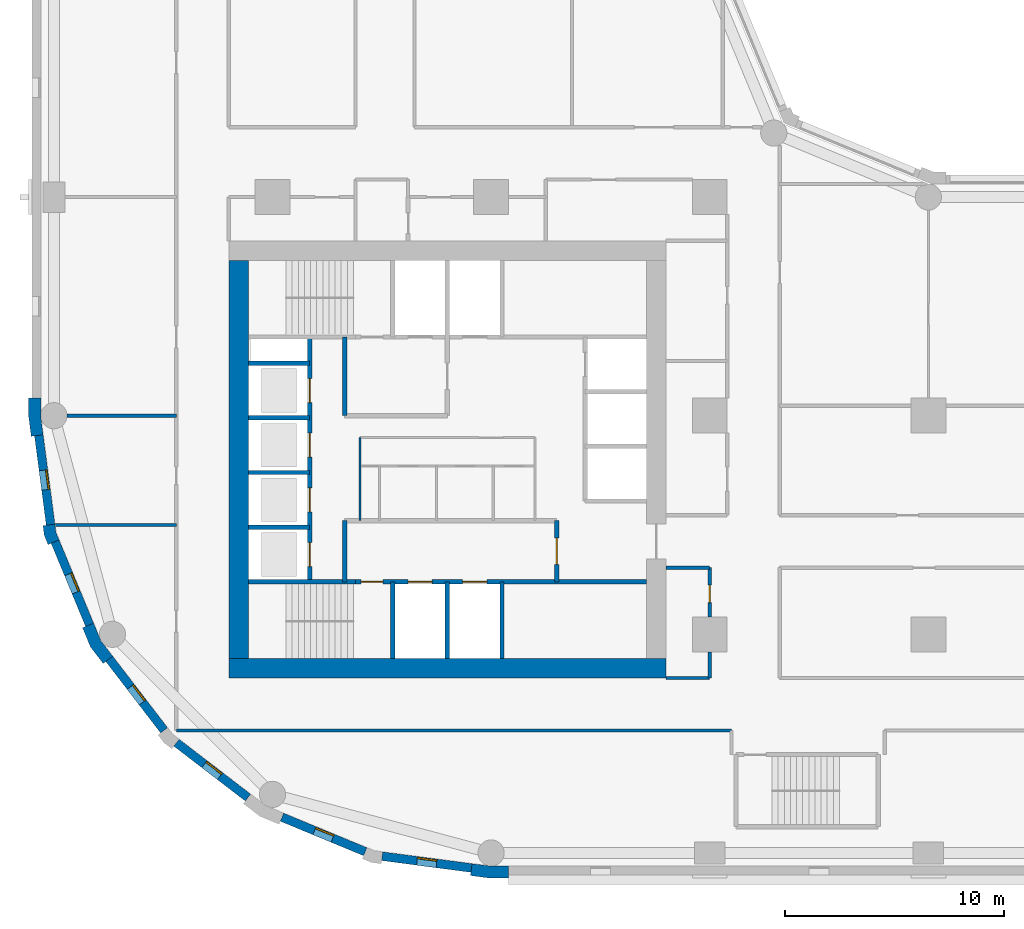
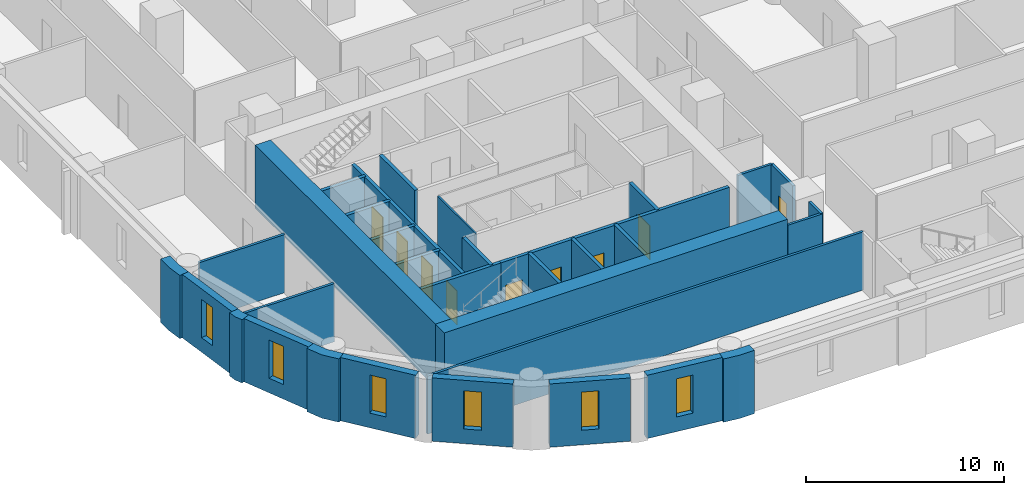
# One storey, part 2 of 10: 33 walls, 9 doors, 6 windows, 15 openings.
"""IFC4 building model written with IfcOpenShell, lengths in metres."""

from ifc_helpers import new_model, si_unit, direction, frame, frame_2d, origin, place, context, subcontext, project, spatial, polyline, rectangle, outline, extrude, material, layer, layer_set, type_object, element, fill, save


model = new_model("IFC4")

# Units and contexts
model_context = context("Model", 3, precision=1e-05, world=origin(), true_north=direction((0.0, 1.0)))
body_context = subcontext(model_context, "Body", "Model", "MODEL_VIEW")
ifc_project = project(units=[si_unit("LENGTHUNIT", "METRE"), si_unit("AREAUNIT", "SQUARE_METRE"), si_unit("VOLUMEUNIT", "CUBIC_METRE"), si_unit("PLANEANGLEUNIT", "RADIAN"), si_unit("MASSUNIT", "GRAM", prefix="KILO")], contexts=[model_context])

# Site, building, storey
site_placement = place(None, origin())
site = spatial("IfcSite", under=ifc_project, at=site_placement, CompositionType="ELEMENT")
building_placement = place(site_placement, origin())
building = spatial("IfcBuilding", under=site, at=building_placement, Name="Qaws Garden Tower", CompositionType="ELEMENT")
storey_placement = place(building_placement, frame((0.0, 0.0, 74.39990234375)))
storey = spatial("IfcBuildingStorey", under=building, at=storey_placement, Name="L18", CompositionType="ELEMENT", Elevation=74.39990234375)

# Wall, opening, window
ifc_material_1 = material(Name="Clay facing brick masonry", Category="masonry")
ifc_layer_1 = layer(ifc_material_1, 0.39990234375)
ifc_layer_set_1 = layer_set([ifc_layer_1], Name="Clay facing brick masonry")
wall_type_1 = type_object("IfcWallType", Name="Brick infill wall 400", PredefinedType="SOLIDWALL", material=ifc_layer_set_1)
wall_1_placement = place(storey_placement, frame((-0.688720703125, 19.102294921875, 0.0), z_axis=(0.0, 0.0, 1.0), x_axis=(0.130514280502, -0.991446429508, 0.0)))
wall_1 = element("IfcWall", 1, at=wall_1_placement, inside=storey, type_object=wall_type_1, Name="E-L18-infill-27", PredefinedType="SOLIDWALL", context=body_context, shape_type="SweptSolid", body=[
    extrude(rectangle(XDim=4.120849609375, YDim=0.39990234375, at=frame_2d((2.060546875, 0.0))), origin(), (0.0, 0.0, 1.0), 3.900146484375),
])
opening_1_placement = place(wall_1_placement, frame((1.610595703125, 0.0, 0.89990234375)))
opening_1 = element("IfcOpeningElement", 2, at=opening_1_placement, cuts=wall_1, Name="Opening W09", PredefinedType="OPENING", context=body_context, shape_type="SweptSolid", body=[
    extrude(rectangle(XDim=0.89990234375, YDim=2.35009765625, at=frame_2d((0.449951171875, 1.175048828125))), frame((0.0, 0.2099609375, 0.0), z_axis=(0.0, -1.0, 0.0), x_axis=(1.0, 0.0, 0.0)), (0.0, 0.0, 1.0), 0.419921875),
])
ifc_material_2 = material(Name="Aluminium framed window, clear glazing", Category="aluminium")
window_type = type_object("IfcWindowType", Name="Slit window 900 x 2350", PartitioningType="SINGLE_PANEL", PredefinedType="WINDOW", material=ifc_material_2)
window_1_placement = place(opening_1_placement, origin())
window_1 = element("IfcWindow", 3, at=window_1_placement, inside=storey, type_object=window_type, Name="E-L18-window-27-0", OverallHeight=2.35009765625, OverallWidth=0.89990234375, PartitioningType="SINGLE_PANEL", PredefinedType="WINDOW", context=body_context, shape_type="SweptSolid", body=[
    extrude(rectangle(XDim=0.89990234375, YDim=2.35009765625, at=frame_2d((0.449951171875, 1.175048828125))), frame((0.0, 0.159912109375, 0.0), z_axis=(0.0, -1.0, 0.0), x_axis=(1.0, 0.0, 0.0)), (0.0, 0.0, 1.0), 0.06005859375),
])
fill(opening_1, window_1)

wall_2_placement = place(storey_placement, frame((0.05712890625, 14.240234375, 0.0), z_axis=(0.0, 0.0, 1.0), x_axis=(0.382721546029, -0.923863744394, 0.0)))
wall_2 = element("IfcWall", 4, at=wall_2_placement, inside=storey, type_object=wall_type_1, Name="E-L18-infill-28", PredefinedType="SOLIDWALL", context=body_context, shape_type="SweptSolid", body=[
    extrude(rectangle(XDim=4.120849609375, YDim=0.39990234375, at=frame_2d((2.060546875, 0.0))), origin(), (0.0, 0.0, 1.0), 3.900146484375),
])
opening_2_placement = place(wall_2_placement, frame((1.610595703125, 0.0, 0.89990234375)))
opening_2 = element("IfcOpeningElement", 5, at=opening_2_placement, cuts=wall_2, Name="Opening W09", PredefinedType="OPENING", context=body_context, shape_type="SweptSolid", body=[
    extrude(rectangle(XDim=0.89990234375, YDim=2.35009765625, at=frame_2d((0.449951171875, 1.175048828125))), frame((0.0, 0.2099609375, 0.0), z_axis=(0.0, -1.0, 0.0), x_axis=(1.0, 0.0, 0.0)), (0.0, 0.0, 1.0), 0.419921875),
])
window_2_placement = place(opening_2_placement, origin())
window_2 = element("IfcWindow", 6, at=window_2_placement, inside=storey, type_object=window_type, Name="E-L18-window-28-0", OverallHeight=2.35009765625, OverallWidth=0.89990234375, PartitioningType="SINGLE_PANEL", PredefinedType="WINDOW", context=body_context, shape_type="SweptSolid", body=[
    extrude(rectangle(XDim=0.89990234375, YDim=2.35009765625, at=frame_2d((0.449951171875, 1.175048828125))), frame((0.0, 0.159912109375, 0.0), z_axis=(0.0, -1.0, 0.0), x_axis=(1.0, 0.0, 0.0)), (0.0, 0.0, 1.0), 0.06005859375),
])
fill(opening_2, window_2)

wall_3_placement = place(storey_placement, frame((2.53173828125, 8.87841796875, 0.0), z_axis=(0.0, 0.0, 1.0), x_axis=(0.608759824817, -0.793354571229, 0.0)))
wall_3 = element("IfcWall", 7, at=wall_3_placement, inside=storey, type_object=wall_type_1, Name="E-L18-infill-29", PredefinedType="SOLIDWALL", context=body_context, shape_type="SweptSolid", body=[
    extrude(rectangle(XDim=4.12109375, YDim=0.39990234375, at=frame_2d((2.060546875, 0.0))), origin(), (0.0, 0.0, 1.0), 3.900146484375),
])
opening_3_placement = place(wall_3_placement, frame((1.610595703125, 0.0, 0.89990234375)))
opening_3 = element("IfcOpeningElement", 8, at=opening_3_placement, cuts=wall_3, Name="Opening W09", PredefinedType="OPENING", context=body_context, shape_type="SweptSolid", body=[
    extrude(rectangle(XDim=0.89990234375, YDim=2.35009765625, at=frame_2d((0.449951171875, 1.175048828125))), frame((0.0, 0.2099609375, 0.0), z_axis=(0.0, -1.0, 0.0), x_axis=(1.0, 0.0, 0.0)), (0.0, 0.0, 1.0), 0.419921875),
])
window_3_placement = place(opening_3_placement, origin())
window_3 = element("IfcWindow", 9, at=window_3_placement, inside=storey, type_object=window_type, Name="E-L18-window-29-0", OverallHeight=2.35009765625, OverallWidth=0.89990234375, PartitioningType="SINGLE_PANEL", PredefinedType="WINDOW", context=body_context, shape_type="SweptSolid", body=[
    extrude(rectangle(XDim=0.89990234375, YDim=2.35009765625, at=frame_2d((0.449951171875, 1.175048828125))), frame((0.0, 0.159912109375, 0.0), z_axis=(0.0, -1.0, 0.0), x_axis=(1.0, 0.0, 0.0)), (0.0, 0.0, 1.0), 0.06005859375),
])
fill(opening_3, window_3)

wall_4_placement = place(storey_placement, frame((5.60888671875, 5.04052734375, 0.0), z_axis=(0.0, 0.0, 1.0), x_axis=(0.793354571229, -0.608759824817, 0.0)))
wall_4 = element("IfcWall", 10, at=wall_4_placement, inside=storey, type_object=wall_type_1, Name="E-L18-infill-30", PredefinedType="SOLIDWALL", context=body_context, shape_type="SweptSolid", body=[
    extrude(rectangle(XDim=4.12109375, YDim=0.39990234375, at=frame_2d((2.060546875, 0.0))), origin(), (0.0, 0.0, 1.0), 3.900146484375),
])
opening_4_placement = place(wall_4_placement, frame((1.610595703125, 0.0, 0.89990234375)))
opening_4 = element("IfcOpeningElement", 11, at=opening_4_placement, cuts=wall_4, Name="Opening W09", PredefinedType="OPENING", context=body_context, shape_type="SweptSolid", body=[
    extrude(rectangle(XDim=0.89990234375, YDim=2.35009765625, at=frame_2d((0.449951171875, 1.175048828125))), frame((0.0, 0.2099609375, 0.0), z_axis=(0.0, -1.0, 0.0), x_axis=(1.0, 0.0, 0.0)), (0.0, 0.0, 1.0), 0.419921875),
])
window_4_placement = place(opening_4_placement, origin())
window_4 = element("IfcWindow", 12, at=window_4_placement, inside=storey, type_object=window_type, Name="E-L18-window-30-0", OverallHeight=2.35009765625, OverallWidth=0.89990234375, PartitioningType="SINGLE_PANEL", PredefinedType="WINDOW", context=body_context, shape_type="SweptSolid", body=[
    extrude(rectangle(XDim=0.89990234375, YDim=2.35009765625, at=frame_2d((0.449951171875, 1.175048828125))), frame((0.0, 0.159912109375, 0.0), z_axis=(0.0, -1.0, 0.0), x_axis=(1.0, 0.0, 0.0)), (0.0, 0.0, 1.0), 0.06005859375),
])
fill(opening_4, window_4)

wall_5_placement = place(storey_placement, frame((10.43310546875, 1.63427734375, 0.0), z_axis=(0.0, 0.0, 1.0), x_axis=(0.923863744394, -0.382721546029, 0.0)))
wall_5 = element("IfcWall", 13, at=wall_5_placement, inside=storey, type_object=wall_type_1, Name="E-L18-infill-31", PredefinedType="SOLIDWALL", context=body_context, shape_type="SweptSolid", body=[
    extrude(rectangle(XDim=4.120849609375, YDim=0.39990234375, at=frame_2d((2.060546875, 0.0))), origin(), (0.0, 0.0, 1.0), 3.900146484375),
])
opening_5_placement = place(wall_5_placement, frame((1.610595703125, 0.0, 0.89990234375)))
opening_5 = element("IfcOpeningElement", 14, at=opening_5_placement, cuts=wall_5, Name="Opening W09", PredefinedType="OPENING", context=body_context, shape_type="SweptSolid", body=[
    extrude(rectangle(XDim=0.89990234375, YDim=2.35009765625, at=frame_2d((0.449951171875, 1.175048828125))), frame((0.0, 0.2099609375, 0.0), z_axis=(0.0, -1.0, 0.0), x_axis=(1.0, 0.0, 0.0)), (0.0, 0.0, 1.0), 0.419921875),
])
window_5_placement = place(opening_5_placement, origin())
window_5 = element("IfcWindow", 15, at=window_5_placement, inside=storey, type_object=window_type, Name="E-L18-window-31-0", OverallHeight=2.35009765625, OverallWidth=0.89990234375, PartitioningType="SINGLE_PANEL", PredefinedType="WINDOW", context=body_context, shape_type="SweptSolid", body=[
    extrude(rectangle(XDim=0.89990234375, YDim=2.35009765625, at=frame_2d((0.449951171875, 1.175048828125))), frame((0.0, 0.159912109375, 0.0), z_axis=(0.0, -1.0, 0.0), x_axis=(1.0, 0.0, 0.0)), (0.0, 0.0, 1.0), 0.06005859375),
])
fill(opening_5, window_5)

wall_6_placement = place(storey_placement, frame((15.0166015625, -0.15087890625, 0.0), z_axis=(0.0, 0.0, 1.0), x_axis=(0.991446429508, -0.130514280502, 0.0)))
wall_6 = element("IfcWall", 16, at=wall_6_placement, inside=storey, type_object=wall_type_1, Name="E-L18-infill-32", PredefinedType="SOLIDWALL", context=body_context, shape_type="SweptSolid", body=[
    extrude(rectangle(XDim=4.120849609375, YDim=0.39990234375, at=frame_2d((2.060546875, 0.0))), origin(), (0.0, 0.0, 1.0), 3.900146484375),
])
opening_6_placement = place(wall_6_placement, frame((1.610595703125, 0.0, 0.89990234375)))
opening_6 = element("IfcOpeningElement", 17, at=opening_6_placement, cuts=wall_6, Name="Opening W09", PredefinedType="OPENING", context=body_context, shape_type="SweptSolid", body=[
    extrude(rectangle(XDim=0.89990234375, YDim=2.35009765625, at=frame_2d((0.449951171875, 1.175048828125))), frame((0.0, 0.2099609375, 0.0), z_axis=(0.0, -1.0, 0.0), x_axis=(1.0, 0.0, 0.0)), (0.0, 0.0, 1.0), 0.419921875),
])
window_6_placement = place(opening_6_placement, origin())
window_6 = element("IfcWindow", 18, at=window_6_placement, inside=storey, type_object=window_type, Name="E-L18-window-32-0", OverallHeight=2.35009765625, OverallWidth=0.89990234375, PartitioningType="SINGLE_PANEL", PredefinedType="WINDOW", context=body_context, shape_type="SweptSolid", body=[
    extrude(rectangle(XDim=0.89990234375, YDim=2.35009765625, at=frame_2d((0.449951171875, 1.175048828125))), frame((0.0, 0.159912109375, 0.0), z_axis=(0.0, -1.0, 0.0), x_axis=(1.0, 0.0, 0.0)), (0.0, 0.0, 1.0), 0.06005859375),
])
fill(opening_6, window_6)

# Walls
ifc_material_3 = material(Name="Clay facing brick masonry", Category="masonry")
ifc_layer_2 = layer(ifc_material_3, 0.550048828125)
ifc_layer_set_2 = layer_set([ifc_layer_2], Name="Clay facing brick masonry")
wall_type_2 = type_object("IfcWallType", Name="Brick kink pier 550 x 600", PredefinedType="SOLIDWALL", material=ifc_layer_set_2)
placement = place(storey_placement, origin())
element("IfcWall", 19, at=placement, inside=storey, type_object=wall_type_2, Name="E-L18-pier-28", PredefinedType="SOLIDWALL", context=body_context, shape_type="SweptSolid", body=[
    extrude(outline(polyline([(-0.34912109375, 14.990478515625), (-0.497802734375, 14.970947265625), (-0.43896484375, 14.5234375), (-0.26611328125, 14.1064453125), (-0.127685546875, 14.163818359375), (0.241943359375, 14.31689453125), (0.096923828125, 14.6669921875), (0.04736328125, 15.042724609375), (-0.34912109375, 14.990478515625)])), origin(), (0.0, 0.0, 1.0), 3.900146484375),
])
ifc_material_4 = material(Name="Clay facing brick masonry", Category="masonry")
ifc_layer_3 = layer(ifc_material_4, 0.550048828125)
ifc_layer_set_3 = layer_set([ifc_layer_3], Name="Clay facing brick masonry")
wall_type_3 = type_object("IfcWallType", Name="Brick pier 550 x 1600", PredefinedType="SOLIDWALL", material=ifc_layer_set_3)
element("IfcWall", 20, at=placement, inside=storey, type_object=wall_type_3, Name="E-L18-pier-00", PredefinedType="SOLIDWALL", context=body_context, shape_type="SweptSolid", body=[
    extrude(outline(polyline([(19.076416015625, -0.886962890625), (19.056640625, -1.03564453125), (19.924560546875, -1.14990234375), (20.800048828125, -1.14990234375), (20.800048828125, -1.0), (20.800048828125, -0.60009765625), (19.960693359375, -0.60009765625), (19.12841796875, -0.490478515625), (19.076416015625, -0.886962890625)])), origin(), (0.0, 0.0, 1.0), 3.900146484375),
])
element("IfcWall", 21, at=placement, inside=storey, type_object=wall_type_3, Name="E-L18-pier-27", PredefinedType="SOLIDWALL", context=body_context, shape_type="SweptSolid", body=[
    extrude(outline(polyline([(-1.0, 20.800048828125), (-1.14990234375, 20.800048828125), (-1.14990234375, 19.924560546875), (-1.03564453125, 19.056640625), (-0.886962890625, 19.076416015625), (-0.490478515625, 19.12841796875), (-0.60009765625, 19.960693359375), (-0.60009765625, 20.800048828125), (-1.0, 20.800048828125)])), origin(), (0.0, 0.0, 1.0), 3.900146484375),
])
element("IfcWall", 22, at=placement, inside=storey, type_object=wall_type_3, Name="E-L18-pier-29", PredefinedType="SOLIDWALL", context=body_context, shape_type="SweptSolid", body=[
    extrude(outline(polyline([(1.449462890625, 10.3564453125), (1.310791015625, 10.299072265625), (1.675048828125, 9.419921875), (2.254150390625, 8.665283203125), (2.373046875, 8.756591796875), (2.6904296875, 9.0), (2.1552734375, 9.697509765625), (1.819091796875, 10.509521484375), (1.449462890625, 10.3564453125)])), origin(), (0.0, 0.0, 1.0), 3.900146484375),
])
ifc_material_5 = material(Name="Plasterboard")
ifc_layer_4 = layer(ifc_material_5, 0.10009765625)
ifc_layer_set_4 = layer_set([ifc_layer_4], Name="Plasterboard")
wall_type_4 = type_object("IfcWallType", Name="Core partition 100", PredefinedType="PARTITIONING", material=ifc_layer_set_4)
wall_11_placement = place(storey_placement, frame((14.0, 15.199951171875, 0.0), z_axis=(0.0, 0.0, 1.0), x_axis=(0.0, 1.0, 0.0)))
element("IfcWall", 23, at=wall_11_placement, inside=storey, type_object=wall_type_4, Name="Core partition", PredefinedType="PARTITIONING", context=body_context, shape_type="SweptSolid", body=[
    extrude(rectangle(XDim=3.800048828125, YDim=0.10009765625, at=frame_2d((1.89990234375, 0.0))), origin(), (0.0, 0.0, 1.0), 3.580078125),
])
ifc_material_6 = material(Name="Concrete C80", Category="concrete")
ifc_layer_5 = layer(ifc_material_6, 0.199951171875)
ifc_layer_set_5 = layer_set([ifc_layer_5], Name="Concrete C80")
wall_type_5 = type_object("IfcWallType", Name="Core shaft wall 200 C80", PredefinedType="SHEAR", material=ifc_layer_set_5)
wall_12_placement = place(storey_placement, frame((8.89990234375, 12.39990234375, 0.0), z_axis=(0.0, 0.0, 1.0), x_axis=(1.0, 0.0, 0.0)))
element("IfcWall", 24, at=wall_12_placement, inside=storey, type_object=wall_type_5, Name="Shaft wall", PredefinedType="SHEAR", context=body_context, shape_type="SweptSolid", body=[
    extrude(rectangle(XDim=4.900146484375, YDim=0.199951171875, at=frame_2d((2.4501953125, 0.0))), origin(), (0.0, 0.0, 1.0), 3.580078125),
])

# Wall, openings, doors
wall_13_placement = place(storey_placement, frame((13.800048828125, 12.39990234375, 0.0), z_axis=(0.0, 0.0, 1.0), x_axis=(1.0, 0.0, 0.0)))
wall_13 = element("IfcWall", 25, at=wall_13_placement, inside=storey, type_object=wall_type_5, Name="Shaft wall", PredefinedType="SHEAR", context=body_context, shape_type="SweptSolid", body=[
    extrude(rectangle(XDim=13.300048828125, YDim=0.199951171875, at=frame_2d((6.64990234375, 0.0))), origin(), (0.0, 0.0, 1.0), 3.580078125),
])
opening_7_placement = place(wall_13_placement, frame((2.39990234375, 0.0, 0.0)))
opening_7 = element("IfcOpeningElement", 26, at=opening_7_placement, cuts=wall_13, Name="Opening LD06", PredefinedType="OPENING", context=body_context, shape_type="SweptSolid", body=[
    extrude(rectangle(XDim=1.10009765625, YDim=2.10009765625, at=frame_2d((0.550048828125, 1.050048828125))), frame((0.0, 0.10986328125, 0.0), z_axis=(0.0, -1.0, 0.0), x_axis=(1.0, 0.0, 0.0)), (0.0, 0.0, 1.0), 0.219970703125),
])
opening_8_placement = place(wall_13_placement, frame((4.89990234375, 0.0, 0.0)))
opening_8 = element("IfcOpeningElement", 27, at=opening_8_placement, cuts=wall_13, Name="Opening LD07", PredefinedType="OPENING", context=body_context, shape_type="SweptSolid", body=[
    extrude(rectangle(XDim=1.10009765625, YDim=2.10009765625, at=frame_2d((0.550048828125, 1.050048828125))), frame((0.0, 0.10986328125, 0.0), z_axis=(0.0, -1.0, 0.0), x_axis=(1.0, 0.0, 0.0)), (0.0, 0.0, 1.0), 0.219970703125),
])
opening_9_placement = place(wall_13_placement, frame((0.25, 0.0, 0.0)))
opening_9 = element("IfcOpeningElement", 28, at=opening_9_placement, cuts=wall_13, Name="Opening SD10", PredefinedType="OPENING", context=body_context, shape_type="SweptSolid", body=[
    extrude(rectangle(XDim=1.0, YDim=2.10009765625, at=frame_2d((0.5, 1.050048828125))), frame((0.0, 0.10986328125, 0.0), z_axis=(0.0, -1.0, 0.0), x_axis=(1.0, 0.0, 0.0)), (0.0, 0.0, 1.0), 0.219970703125),
])
ifc_material_7 = material(Name="Steel S235", Category="steel")
door_type_1 = type_object("IfcDoorType", Name="Landing door 1100x2100", OperationType="DOUBLE_DOOR_SLIDING", PredefinedType="DOOR", material=ifc_material_7)
door_1_placement = place(opening_7_placement, origin())
door_1 = element("IfcDoor", 29, at=door_1_placement, inside=storey, type_object=door_type_1, Name="Lift FF1 landing door", OperationType="DOUBLE_DOOR_SLIDING", OverallHeight=2.10009765625, OverallWidth=1.10009765625, PredefinedType="DOOR", context=body_context, shape_type="SweptSolid", body=[
    extrude(rectangle(XDim=1.10009765625, YDim=2.10009765625, at=frame_2d((0.550048828125, 1.050048828125))), frame((0.0, 0.02490234375, 0.0), z_axis=(0.0, -1.0, 0.0), x_axis=(1.0, 0.0, 0.0)), (0.0, 0.0, 1.0), 0.050048828125),
])
fill(opening_7, door_1)
door_2_placement = place(opening_8_placement, origin())
door_2 = element("IfcDoor", 30, at=door_2_placement, inside=storey, type_object=door_type_1, Name="Lift FF2 landing door", OperationType="DOUBLE_DOOR_SLIDING", OverallHeight=2.10009765625, OverallWidth=1.10009765625, PredefinedType="DOOR", context=body_context, shape_type="SweptSolid", body=[
    extrude(rectangle(XDim=1.10009765625, YDim=2.10009765625, at=frame_2d((0.550048828125, 1.050048828125))), frame((0.0, 0.02490234375, 0.0), z_axis=(0.0, -1.0, 0.0), x_axis=(1.0, 0.0, 0.0)), (0.0, 0.0, 1.0), 0.050048828125),
])
fill(opening_8, door_2)
ifc_material_8 = material(Name="Steel S235", Category="steel")
door_type_2 = type_object("IfcDoorType", Name="Stair door 1000x2100", OperationType="SINGLE_SWING_RIGHT", PredefinedType="DOOR", material=ifc_material_8)
door_3_placement = place(opening_9_placement, frame((1.0, 0.0, 0.0), z_axis=(0.0, 0.0, 1.0), x_axis=(-1.0, 0.0, 0.0)))
door_3 = element("IfcDoor", 31, at=door_3_placement, inside=storey, type_object=door_type_2, Name="Stair 1 door", OperationType="SINGLE_SWING_LEFT", OverallHeight=2.10009765625, OverallWidth=1.0, PredefinedType="DOOR", context=body_context, shape_type="SweptSolid", body=[
    extrude(rectangle(XDim=1.0, YDim=2.10009765625, at=frame_2d((0.5, 1.050048828125))), frame((0.0, 0.02490234375, 0.0), z_axis=(0.0, -1.0, 0.0), x_axis=(1.0, 0.0, 0.0)), (0.0, 0.0, 1.0), 0.050048828125),
])
fill(opening_9, door_3)

# Walls
for number, where, z_axis, x_axis, name in (
    (32, (8.89990234375, 14.89990234375, 0.0), (0.0, 0.0, 1.0), (1.0, 0.0, 0.0), "Shaft wall"),
    (33, (8.89990234375, 17.39990234375, 0.0), (0.0, 0.0, 1.0), (1.0, 0.0, 0.0), "Shaft wall"),
    (34, (8.89990234375, 19.89990234375, 0.0), (0.0, 0.0, 1.0), (1.0, 0.0, 0.0), "Shaft wall"),
    (35, (8.89990234375, 22.39990234375, 0.0), (0.0, 0.0, 1.0), (1.0, 0.0, 0.0), "Shaft wall"),
):
    element("IfcWall", number, at=place(storey_placement, frame(where, z_axis=z_axis, x_axis=x_axis)), inside=storey, type_object=wall_type_5, Name=name, PredefinedType="SHEAR", context=body_context, shape_type="SweptSolid", body=[
        extrude(rectangle(XDim=2.800048828125, YDim=0.199951171875, at=frame_2d((1.39990234375, 0.0))), origin(), (0.0, 0.0, 1.0), 3.580078125),
    ])

# Wall, openings, doors
wall_14_placement = place(storey_placement, frame((11.699951171875, 12.39990234375, 0.0), z_axis=(0.0, 0.0, 1.0), x_axis=(0.0, 1.0, 0.0)))
wall_14 = element("IfcWall", 36, at=wall_14_placement, inside=storey, type_object=wall_type_5, Name="Shaft wall", PredefinedType="SHEAR", context=body_context, shape_type="SweptSolid", body=[
    extrude(rectangle(XDim=11.2001953125, YDim=0.199951171875, at=frame_2d((5.60009765625, 0.0))), origin(), (0.0, 0.0, 1.0), 3.580078125),
])
opening_10_placement = place(wall_14_placement, frame((0.699951171875, 0.0, 0.0)))
opening_10 = element("IfcOpeningElement", 37, at=opening_10_placement, cuts=wall_14, Name="Opening LD01", PredefinedType="OPENING", context=body_context, shape_type="SweptSolid", body=[
    extrude(rectangle(XDim=1.10009765625, YDim=2.10009765625, at=frame_2d((0.550048828125, 1.050048828125))), frame((0.0, 0.10986328125, 0.0), z_axis=(0.0, -1.0, 0.0), x_axis=(1.0, 0.0, 0.0)), (0.0, 0.0, 1.0), 0.219970703125),
])
opening_11_placement = place(wall_14_placement, frame((3.199951171875, 0.0, 0.0)))
opening_11 = element("IfcOpeningElement", 38, at=opening_11_placement, cuts=wall_14, Name="Opening LD02", PredefinedType="OPENING", context=body_context, shape_type="SweptSolid", body=[
    extrude(rectangle(XDim=1.10009765625, YDim=2.10009765625, at=frame_2d((0.550048828125, 1.050048828125))), frame((0.0, 0.10986328125, 0.0), z_axis=(0.0, -1.0, 0.0), x_axis=(1.0, 0.0, 0.0)), (0.0, 0.0, 1.0), 0.219970703125),
])
opening_12_placement = place(wall_14_placement, frame((5.699951171875, 0.0, 0.0)))
opening_12 = element("IfcOpeningElement", 39, at=opening_12_placement, cuts=wall_14, Name="Opening LD03", PredefinedType="OPENING", context=body_context, shape_type="SweptSolid", body=[
    extrude(rectangle(XDim=1.10009765625, YDim=2.10009765625, at=frame_2d((0.550048828125, 1.050048828125))), frame((0.0, 0.10986328125, 0.0), z_axis=(0.0, -1.0, 0.0), x_axis=(1.0, 0.0, 0.0)), (0.0, 0.0, 1.0), 0.219970703125),
])
opening_13_placement = place(wall_14_placement, frame((8.199951171875, 0.0, 0.0)))
opening_13 = element("IfcOpeningElement", 40, at=opening_13_placement, cuts=wall_14, Name="Opening LD04", PredefinedType="OPENING", context=body_context, shape_type="SweptSolid", body=[
    extrude(rectangle(XDim=1.10009765625, YDim=2.10009765625, at=frame_2d((0.550048828125, 1.050048828125))), frame((0.0, 0.10986328125, 0.0), z_axis=(0.0, -1.0, 0.0), x_axis=(1.0, 0.0, 0.0)), (0.0, 0.0, 1.0), 0.219970703125),
])
door_4_placement = place(opening_10_placement, origin())
door_4 = element("IfcDoor", 41, at=door_4_placement, inside=storey, type_object=door_type_1, Name="Lift W1 landing door", OperationType="DOUBLE_DOOR_SLIDING", OverallHeight=2.10009765625, OverallWidth=1.10009765625, PredefinedType="DOOR", context=body_context, shape_type="SweptSolid", body=[
    extrude(rectangle(XDim=1.10009765625, YDim=2.10009765625, at=frame_2d((0.550048828125, 1.050048828125))), frame((0.0, 0.02490234375, 0.0), z_axis=(0.0, -1.0, 0.0), x_axis=(1.0, 0.0, 0.0)), (0.0, 0.0, 1.0), 0.050048828125),
])
fill(opening_10, door_4)
door_5_placement = place(opening_11_placement, origin())
door_5 = element("IfcDoor", 42, at=door_5_placement, inside=storey, type_object=door_type_1, Name="Lift W2 landing door", OperationType="DOUBLE_DOOR_SLIDING", OverallHeight=2.10009765625, OverallWidth=1.10009765625, PredefinedType="DOOR", context=body_context, shape_type="SweptSolid", body=[
    extrude(rectangle(XDim=1.10009765625, YDim=2.10009765625, at=frame_2d((0.550048828125, 1.050048828125))), frame((0.0, 0.02490234375, 0.0), z_axis=(0.0, -1.0, 0.0), x_axis=(1.0, 0.0, 0.0)), (0.0, 0.0, 1.0), 0.050048828125),
])
fill(opening_11, door_5)
door_6_placement = place(opening_12_placement, origin())
door_6 = element("IfcDoor", 43, at=door_6_placement, inside=storey, type_object=door_type_1, Name="Lift W3 landing door", OperationType="DOUBLE_DOOR_SLIDING", OverallHeight=2.10009765625, OverallWidth=1.10009765625, PredefinedType="DOOR", context=body_context, shape_type="SweptSolid", body=[
    extrude(rectangle(XDim=1.10009765625, YDim=2.10009765625, at=frame_2d((0.550048828125, 1.050048828125))), frame((0.0, 0.02490234375, 0.0), z_axis=(0.0, -1.0, 0.0), x_axis=(1.0, 0.0, 0.0)), (0.0, 0.0, 1.0), 0.050048828125),
])
fill(opening_12, door_6)
door_7_placement = place(opening_13_placement, origin())
door_7 = element("IfcDoor", 44, at=door_7_placement, inside=storey, type_object=door_type_1, Name="Lift W4 landing door", OperationType="DOUBLE_DOOR_SLIDING", OverallHeight=2.10009765625, OverallWidth=1.10009765625, PredefinedType="DOOR", context=body_context, shape_type="SweptSolid", body=[
    extrude(rectangle(XDim=1.10009765625, YDim=2.10009765625, at=frame_2d((0.550048828125, 1.050048828125))), frame((0.0, 0.02490234375, 0.0), z_axis=(0.0, -1.0, 0.0), x_axis=(1.0, 0.0, 0.0)), (0.0, 0.0, 1.0), 0.050048828125),
])
fill(opening_13, door_7)

# Walls
wall_15_placement = place(storey_placement, frame((13.300048828125, 12.39990234375, 0.0), z_axis=(0.0, 0.0, 1.0), x_axis=(0.0, 1.0, 0.0)))
element("IfcWall", 45, at=wall_15_placement, inside=storey, type_object=wall_type_5, Name="Shaft wall", PredefinedType="SHEAR", context=body_context, shape_type="SweptSolid", body=[
    extrude(rectangle(XDim=2.800048828125, YDim=0.199951171875, at=frame_2d((1.39990234375, 0.0))), origin(), (0.0, 0.0, 1.0), 3.580078125),
])
wall_16_placement = place(storey_placement, frame((13.300048828125, 20.0, 0.0), z_axis=(0.0, 0.0, 1.0), x_axis=(0.0, 1.0, 0.0)))
element("IfcWall", 46, at=wall_16_placement, inside=storey, type_object=wall_type_5, Name="Shaft wall", PredefinedType="SHEAR", context=body_context, shape_type="SweptSolid", body=[
    extrude(rectangle(XDim=3.60009765625, YDim=0.199951171875, at=frame_2d((1.800048828125, 0.0))), origin(), (0.0, 0.0, 1.0), 3.580078125),
])
for number, where, z_axis, x_axis, name in (
    (47, (15.5, 8.89990234375, 0.0), (0.0, 0.0, 1.0), (0.0, 1.0, 0.0), "Shaft wall"),
    (48, (18.0, 8.89990234375, 0.0), (0.0, 0.0, 1.0), (0.0, 1.0, 0.0), "Shaft wall"),
    (49, (20.5, 8.89990234375, 0.0), (0.0, 0.0, 1.0), (0.0, 1.0, 0.0), "Shaft wall"),
):
    element("IfcWall", number, at=place(storey_placement, frame(where, z_axis=z_axis, x_axis=x_axis)), inside=storey, type_object=wall_type_5, Name=name, PredefinedType="SHEAR", context=body_context, shape_type="SweptSolid", body=[
        extrude(rectangle(XDim=3.5, YDim=0.199951171875, at=frame_2d((1.75, 0.0))), origin(), (0.0, 0.0, 1.0), 3.580078125),
    ])

# Wall, opening, door
wall_17_placement = place(storey_placement, frame((23.0, 12.39990234375, 0.0), z_axis=(0.0, 0.0, 1.0), x_axis=(0.0, 1.0, 0.0)))
wall_17 = element("IfcWall", 50, at=wall_17_placement, inside=storey, type_object=wall_type_5, Name="Shaft wall", PredefinedType="SHEAR", context=body_context, shape_type="SweptSolid", body=[
    extrude(rectangle(XDim=2.800048828125, YDim=0.199951171875, at=frame_2d((1.39990234375, 0.0))), origin(), (0.0, 0.0, 1.0), 3.580078125),
])
opening_14_placement = place(wall_17_placement, frame((0.800048828125, 0.0, 0.0)))
opening_14 = element("IfcOpeningElement", 51, at=opening_14_placement, cuts=wall_17, Name="Opening FD15", PredefinedType="OPENING", context=body_context, shape_type="SweptSolid", body=[
    extrude(rectangle(XDim=1.199951171875, YDim=2.10009765625, at=frame_2d((0.60009765625, 1.050048828125))), frame((0.0, 0.10986328125, 0.0), z_axis=(0.0, -1.0, 0.0), x_axis=(1.0, 0.0, 0.0)), (0.0, 0.0, 1.0), 0.219970703125),
])
ifc_material_9 = material(Name="Steel S235", Category="steel")
door_type_3 = type_object("IfcDoorType", Name="Lobby door 1200x2100", OperationType="DOUBLE_DOOR_SINGLE_SWING", PredefinedType="DOOR", material=ifc_material_9)
door_8_placement = place(opening_14_placement, origin())
door_8 = element("IfcDoor", 52, at=door_8_placement, inside=storey, type_object=door_type_3, Name="Fire-fighting lobby door", OperationType="DOUBLE_DOOR_SINGLE_SWING", OverallHeight=2.10009765625, OverallWidth=1.199951171875, PredefinedType="DOOR", context=body_context, shape_type="SweptSolid", body=[
    extrude(rectangle(XDim=1.199951171875, YDim=2.10009765625, at=frame_2d((0.60009765625, 1.050048828125))), frame((0.0, 0.02490234375, 0.0), z_axis=(0.0, -1.0, 0.0), x_axis=(1.0, 0.0, 0.0)), (0.0, 0.0, 1.0), 0.050048828125),
])
fill(opening_14, door_8)

# Walls
ifc_material_10 = material(Name="Concrete C80", Category="concrete")
ifc_layer_6 = layer(ifc_material_10, 0.89990234375)
ifc_layer_set_6 = layer_set([ifc_layer_6], Name="Concrete C80")
wall_type_6 = type_object("IfcWallType", Name="Core wall 900 C80", PredefinedType="SHEAR", material=ifc_layer_set_6)
wall_18_placement = place(storey_placement, frame((8.0, 8.449951171875, 0.0), z_axis=(0.0, 0.0, 1.0), x_axis=(1.0, 0.0, 0.0)))
element("IfcWall", 53, at=wall_18_placement, inside=storey, type_object=wall_type_6, Name="Core wall L18 south", PredefinedType="SHEAR", context=body_context, shape_type="SweptSolid", body=[
    extrude(rectangle(XDim=20.0, YDim=0.89990234375, at=frame_2d((10.0, 0.0))), origin(), (0.0, 0.0, 1.0), 3.900146484375),
])
wall_19_placement = place(storey_placement, frame((8.449951171875, 27.10009765625, 0.0), z_axis=(0.0, 0.0, 1.0), x_axis=(0.0, -1.0, 0.0)))
element("IfcWall", 54, at=wall_19_placement, inside=storey, type_object=wall_type_6, Name="Core wall L18 west", PredefinedType="SHEAR", context=body_context, shape_type="SweptSolid", body=[
    extrude(rectangle(XDim=18.2001953125, YDim=0.89990234375, at=frame_2d((9.10009765625, 0.0))), origin(), (0.0, 0.0, 1.0), 3.900146484375),
])
ifc_material_11 = material(Name="Gypsum board partition")
ifc_layer_7 = layer(ifc_material_11, 0.14990234375)
ifc_layer_set_7 = layer_set([ifc_layer_7], Name="Gypsum board partition")
wall_type_7 = type_object("IfcWallType", Name="PARTITION 150 EI 60", PredefinedType="PARTITIONING", material=ifc_layer_set_7)
wall_20_placement = place(storey_placement, frame((30.0, 8.0, 0.0), z_axis=(0.0, 0.0, 1.0), x_axis=(0.0, 1.0, 0.0)))
element("IfcWall", 55, at=wall_20_placement, inside=storey, type_object=wall_type_7, Name="O-L18-wall-016", PredefinedType="PARTITIONING", context=body_context, shape_type="SweptSolid", body=[
    extrude(rectangle(XDim=1.199951171875, YDim=0.14990234375, at=frame_2d((0.60009765625, 0.0))), origin(), (0.0, 0.0, 1.0), 3.580078125),
])

# Wall, opening, door
wall_21_placement = place(storey_placement, frame((30.0, 10.800048828125, 0.0), z_axis=(0.0, 0.0, 1.0), x_axis=(0.0, 1.0, 0.0)))
wall_21 = element("IfcWall", 56, at=wall_21_placement, inside=storey, type_object=wall_type_7, Name="O-L18-wall-017", PredefinedType="PARTITIONING", context=body_context, shape_type="SweptSolid", body=[
    extrude(rectangle(XDim=2.25, YDim=0.14990234375, at=frame_2d((1.125, 0.0))), origin(), (0.0, 0.0, 1.0), 3.580078125),
])
opening_15_placement = place(wall_21_placement, frame((0.64990234375, 0.0, 0.0)))
opening_15 = element("IfcOpeningElement", 57, at=opening_15_placement, cuts=wall_21, Name="Opening A606", PredefinedType="OPENING", context=body_context, shape_type="SweptSolid", body=[
    extrude(rectangle(XDim=0.800048828125, YDim=2.10009765625, at=frame_2d((0.39990234375, 1.050048828125))), frame((0.0, 0.0849609375, 0.0), z_axis=(0.0, -1.0, 0.0), x_axis=(1.0, 0.0, 0.0)), (0.0, 0.0, 1.0), 0.169921875),
])
ifc_material_12 = material(Name="Timber door leaf", Category="wood")
door_type_4 = type_object("IfcDoorType", Name="STORE DOOR 800 X 2100", OperationType="SINGLE_SWING_LEFT", PredefinedType="DOOR", material=ifc_material_12)
door_9_placement = place(opening_15_placement, origin())
door_9 = element("IfcDoor", 58, at=door_9_placement, inside=storey, type_object=door_type_4, Name="O-L18-door-006", OperationType="SINGLE_SWING_LEFT", OverallHeight=2.10009765625, OverallWidth=0.800048828125, PredefinedType="DOOR", context=body_context, shape_type="SweptSolid", body=[
    extrude(rectangle(XDim=0.800048828125, YDim=2.10009765625, at=frame_2d((0.39990234375, 1.050048828125))), frame((0.0, 0.02490234375, 0.0), z_axis=(0.0, -1.0, 0.0), x_axis=(1.0, 0.0, 0.0)), (0.0, 0.0, 1.0), 0.050048828125),
])
fill(opening_15, door_9)

# Walls
wall_22_placement = place(storey_placement, frame((5.60009765625, 5.60009765625, 0.0), z_axis=(0.0, 0.0, 1.0), x_axis=(1.0, 0.0, 0.0)))
element("IfcWall", 59, at=wall_22_placement, inside=storey, type_object=wall_type_7, Name="O-L18-wall-033", PredefinedType="PARTITIONING", context=body_context, shape_type="SweptSolid", body=[
    extrude(rectangle(XDim=25.39990234375, YDim=0.14990234375, at=frame_2d((12.699951171875, 0.0))), origin(), (0.0, 0.0, 1.0), 3.580078125),
])
for number, where, z_axis, x_axis, name in (
    (60, (28.0, 8.0, 0.0), (0.0, 0.0, 1.0), (1.0, 0.0, 0.0), "O-L18-wall-035"),
    (61, (28.0, 13.050048828125, 0.0), (0.0, 0.0, 1.0), (1.0, 0.0, 0.0), "O-L18-wall-037"),
):
    element("IfcWall", number, at=place(storey_placement, frame(where, z_axis=z_axis, x_axis=x_axis)), inside=storey, type_object=wall_type_7, Name=name, PredefinedType="PARTITIONING", context=body_context, shape_type="SweptSolid", body=[
        extrude(rectangle(XDim=2.0, YDim=0.14990234375, at=frame_2d((1.0, 0.0))), origin(), (0.0, 0.0, 1.0), 3.580078125),
    ])
wall_23_placement = place(storey_placement, frame((0.06298828125, 15.0, 0.0), z_axis=(0.0, 0.0, 1.0), x_axis=(1.0, 0.0, 0.0)))
element("IfcWall", 62, at=wall_23_placement, inside=storey, type_object=wall_type_7, Name="O-L18-wall-039", PredefinedType="PARTITIONING", context=body_context, shape_type="SweptSolid", body=[
    extrude(rectangle(XDim=5.537109375, YDim=0.14990234375, at=frame_2d((2.7685546875, 0.0))), origin(), (0.0, 0.0, 1.0), 3.580078125),
])
wall_24_placement = place(storey_placement, frame((0.60009765625, 20.0, 0.0), z_axis=(0.0, 0.0, 1.0), x_axis=(1.0, 0.0, 0.0)))
element("IfcWall", 63, at=wall_24_placement, inside=storey, type_object=wall_type_7, Name="O-L18-wall-042", PredefinedType="PARTITIONING", context=body_context, shape_type="SweptSolid", body=[
    extrude(rectangle(XDim=5.0, YDim=0.14990234375, at=frame_2d((2.5, 0.0))), origin(), (0.0, 0.0, 1.0), 3.580078125),
])

save(model, "model.ifc")
